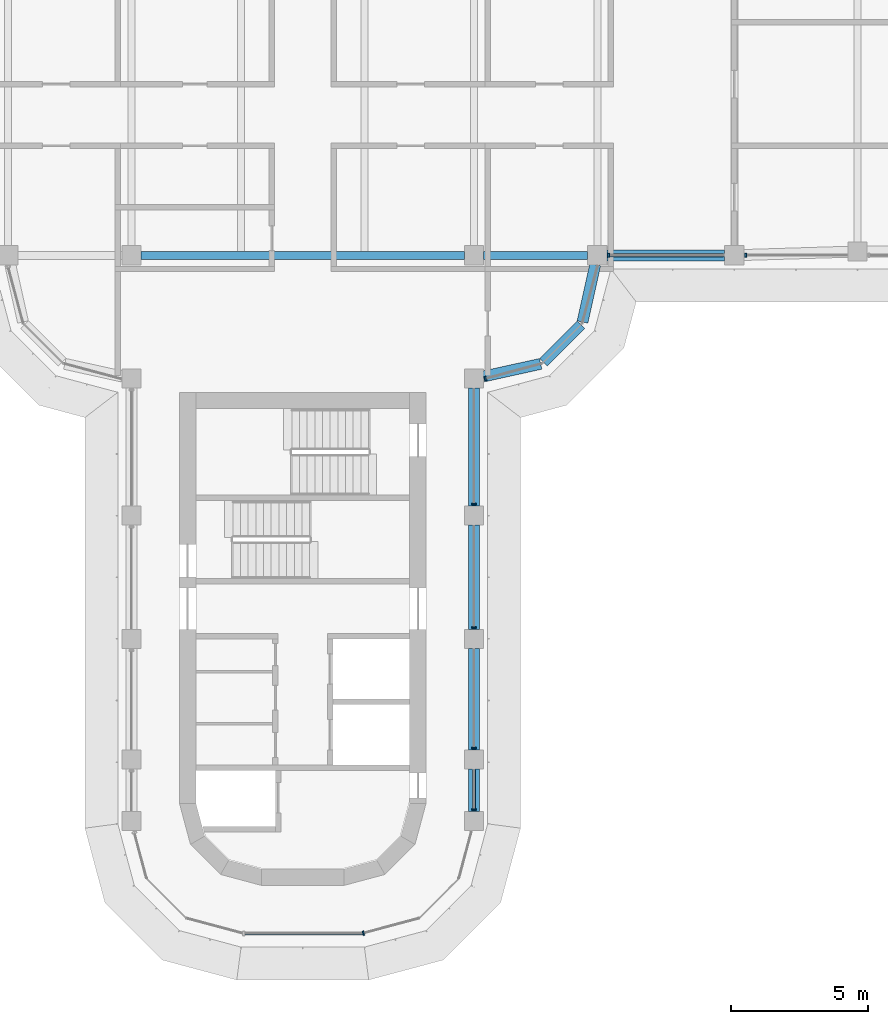
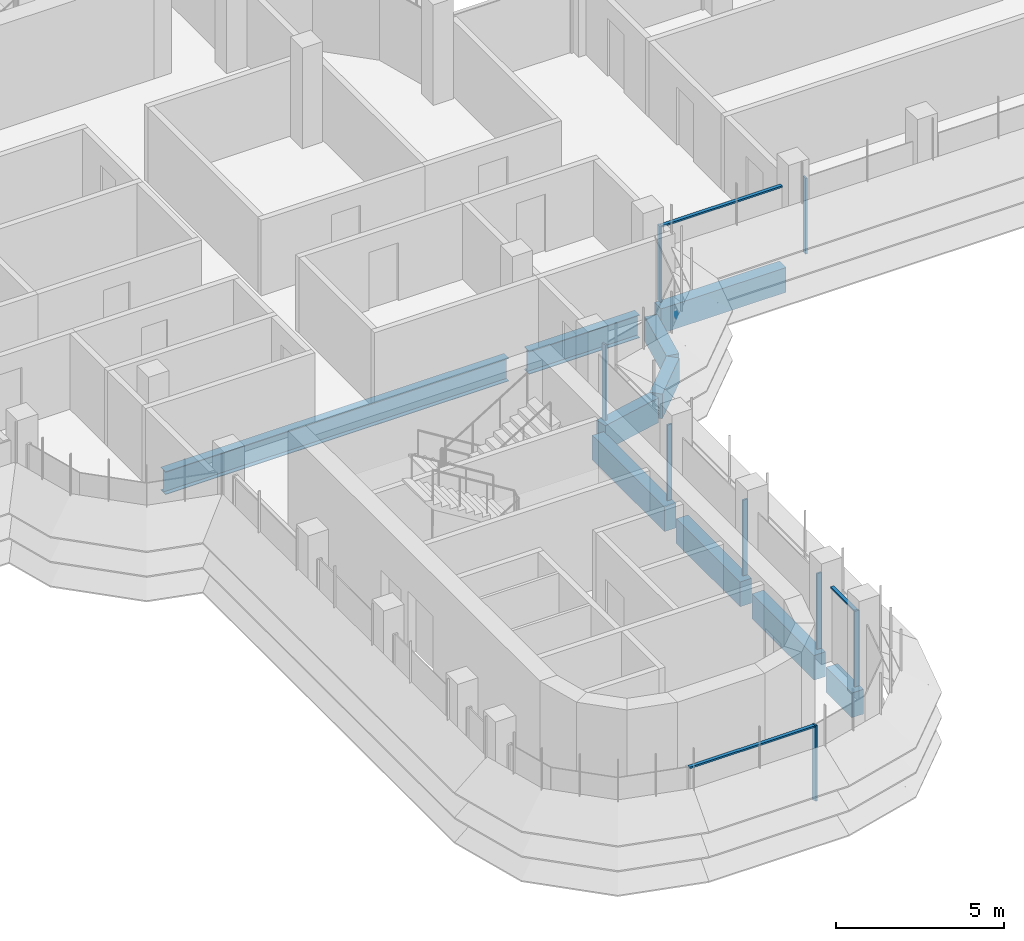
# One storey, part 4 of 19: 11 members, 10 beams, 5 elements without a shape of their own.
"""IFC4 building model written with IfcOpenShell, lengths in metres."""

from ifc_helpers import new_model, si_unit, direction, frame, origin, origin_2d, place, context, subcontext, project, spatial, polyline, rectangle, i_section, outline, extrude, source, transform, mapped, material, material_profile, profile_set, type_object, element, aggregate, save


model = new_model("IFC4")

# Units and contexts
model_context = context("Model", 3, precision=1e-05, world=origin(), true_north=direction((0.0, 1.0)))
body_context = subcontext(model_context, "Body", "Model", "MODEL_VIEW")
ifc_project = project(units=[si_unit("LENGTHUNIT", "METRE"), si_unit("AREAUNIT", "SQUARE_METRE"), si_unit("VOLUMEUNIT", "CUBIC_METRE"), si_unit("PLANEANGLEUNIT", "RADIAN"), si_unit("MASSUNIT", "GRAM", prefix="KILO")], contexts=[model_context])

# Site, building, storey
site_placement = place(None, origin())
site = spatial("IfcSite", under=ifc_project, at=site_placement, CompositionType="ELEMENT")
building_placement = place(site_placement, origin())
building = spatial("IfcBuilding", under=site, at=building_placement, Name="Zarbagh Exchange Tower", CompositionType="ELEMENT")
storey_placement = place(building_placement, frame((0.0, 0.0, 203.0)))
storey = spatial("IfcBuildingStorey", under=building, at=storey_placement, Name="L49", CompositionType="ELEMENT", Elevation=203.0)

# Beams
ifc_material_1 = material(Name="Steel ASTM A992 Gr 50", Category="steel")
ifc_material_profile_1 = material_profile(ifc_material_1, i_section(OverallWidth=0.2919921875, OverallDepth=0.835693359375, WebThickness=0.013916015625, FlangeThickness=0.018798828125, at=origin_2d()), Name="W33X118")
ifc_profile_set_1 = profile_set([ifc_material_profile_1], Name="Steel ASTM A992 Gr 50")
beam_type_1 = type_object("IfcBeamType", Name="Floor girder W33X118", PredefinedType="BEAM", material=ifc_profile_set_1)
beam_1_placement = place(storey_placement, frame((-5.89990234375, -6.25, -0.56787109375), z_axis=(1.0, 0.0, 0.0), x_axis=(0.0, 1.0, 0.0)))
element("IfcBeam", 1, at=beam_1_placement, inside=storey, type_object=beam_type_1, Name="Steel girder", PredefinedType="BEAM", context=body_context, shape_type="SweptSolid", body=[
    extrude(i_section(OverallWidth=0.2919921875, OverallDepth=0.835693359375, WebThickness=0.013916015625, FlangeThickness=0.018798828125, at=origin_2d()), origin(), (0.0, 0.0, 1.0), 11.7998046875),
])
beam_2_placement = place(storey_placement, frame((6.60009765625, -6.25, -0.56787109375), z_axis=(1.0, 0.0, 0.0), x_axis=(0.0, 1.0, 0.0)))
element("IfcBeam", 2, at=beam_2_placement, inside=storey, type_object=beam_type_1, Name="Steel girder", PredefinedType="BEAM", context=body_context, shape_type="SweptSolid", body=[
    extrude(i_section(OverallWidth=0.2919921875, OverallDepth=0.835693359375, WebThickness=0.013916015625, FlangeThickness=0.018798828125, at=origin_2d()), origin(), (0.0, 0.0, 1.0), 3.7998046875),
])
ifc_material_2 = material(Name="Concrete C50/60", Category="concrete")
ifc_material_profile_2 = material_profile(ifc_material_2, rectangle(XDim=0.39990234375, YDim=0.89990234375, at=origin_2d()), Name="RC spandrel beam 400 x 900 C50/60")
ifc_profile_set_2 = profile_set([ifc_material_profile_2], Name="Concrete C50/60")
beam_type_2 = type_object("IfcBeamType", Name="RC spandrel beam 400 x 900 C50/60", PredefinedType="SPANDREL", material=ifc_profile_set_2)
beam_3_placement = place(storey_placement, frame((15.39990234375, -6.25, -0.60009765625), z_axis=(-1.0, 0.0, 0.0), x_axis=(0.0, -1.0, 0.0)))
element("IfcBeam", 3, at=beam_3_placement, inside=storey, type_object=beam_type_2, Name="RC spandrel beam", PredefinedType="SPANDREL", context=body_context, shape_type="SweptSolid", body=[
    extrude(rectangle(XDim=0.39990234375, YDim=0.89990234375, at=origin_2d()), origin(), (0.0, 0.0, 1.0), 4.2998046875),
])
beam_4_placement = place(storey_placement, frame((10.67431640625, -6.591796875, -0.60009765625), z_axis=(-0.216013551096, -0.97639036545, 0.0), x_axis=(0.97639036545, -0.216013551096, 0.0)))
element("IfcBeam", 4, at=beam_4_placement, inside=storey, type_object=beam_type_2, Name="RC spandrel beam", PredefinedType="SPANDREL", context=body_context, shape_type="SweptSolid", body=[
    extrude(rectangle(XDim=0.39990234375, YDim=0.89990234375, at=origin_2d()), origin(), (0.0, 0.0, 1.0), 2.142822265625),
])
beam_5_placement = place(storey_placement, frame((10.15771484375, -8.782470703125, -0.60009765625), z_axis=(-0.707106781187, -0.707106781187, 0.0), x_axis=(0.707106781187, -0.707106781187, 0.0)))
element("IfcBeam", 5, at=beam_5_placement, inside=storey, type_object=beam_type_2, Name="RC spandrel beam", PredefinedType="SPANDREL", context=body_context, shape_type="SweptSolid", body=[
    extrude(rectangle(XDim=0.39990234375, YDim=0.89990234375, at=origin_2d()), origin(), (0.0, 0.0, 1.0), 1.94482421875),
])
beam_6_placement = place(storey_placement, frame((8.68408203125, -10.21142578125, -0.60009765625), z_axis=(-0.97639036545, -0.216013551096, 0.0), x_axis=(0.216013551096, -0.97639036545, 0.0)))
element("IfcBeam", 6, at=beam_6_placement, inside=storey, type_object=beam_type_2, Name="RC spandrel beam", PredefinedType="SPANDREL", context=body_context, shape_type="SweptSolid", body=[
    extrude(rectangle(XDim=0.39990234375, YDim=0.89990234375, at=origin_2d()), origin(), (0.0, 0.0, 1.0), 2.142822265625),
])
beam_7_placement = place(storey_placement, frame((6.25, -11.10009765625, -0.60009765625), z_axis=(0.0, -1.0, 0.0), x_axis=(1.0, 0.0, 0.0)))
element("IfcBeam", 7, at=beam_7_placement, inside=storey, type_object=beam_type_2, Name="RC spandrel beam", PredefinedType="SPANDREL", context=body_context, shape_type="SweptSolid", body=[
    extrude(rectangle(XDim=0.39990234375, YDim=0.89990234375, at=origin_2d()), origin(), (0.0, 0.0, 1.0), 4.2998046875),
])
beam_8_placement = place(storey_placement, frame((6.25, -16.10009765625, -0.60009765625), z_axis=(0.0, -1.0, 0.0), x_axis=(1.0, 0.0, 0.0)))
element("IfcBeam", 8, at=beam_8_placement, inside=storey, type_object=beam_type_2, Name="RC spandrel beam", PredefinedType="SPANDREL", context=body_context, shape_type="SweptSolid", body=[
    extrude(rectangle(XDim=0.39990234375, YDim=0.89990234375, at=origin_2d()), origin(), (0.0, 0.0, 1.0), 3.7998046875),
])
beam_9_placement = place(storey_placement, frame((6.25, -20.60009765625, -0.60009765625), z_axis=(0.0, -1.0, 0.0), x_axis=(1.0, 0.0, 0.0)))
element("IfcBeam", 9, at=beam_9_placement, inside=storey, type_object=beam_type_2, Name="RC spandrel beam", PredefinedType="SPANDREL", context=body_context, shape_type="SweptSolid", body=[
    extrude(rectangle(XDim=0.39990234375, YDim=0.89990234375, at=origin_2d()), origin(), (0.0, 0.0, 1.0), 3.699951171875),
])
beam_10_placement = place(storey_placement, frame((6.25, -25.0, -0.60009765625), z_axis=(0.0, -1.0, 0.0), x_axis=(1.0, 0.0, 0.0)))
element("IfcBeam", 10, at=beam_10_placement, inside=storey, type_object=beam_type_2, Name="RC spandrel beam", PredefinedType="SPANDREL", context=body_context, shape_type="SweptSolid", body=[
    extrude(rectangle(XDim=0.39990234375, YDim=0.89990234375, at=origin_2d()), origin(), (0.0, 0.0, 1.0), 1.550048828125),
])

# Curtain wall, member
ifc_material_3 = material(Name="Anodised aluminium frame and glazing", Category="aluminium")
curtain_wall_type = type_object("IfcCurtainWallType", Name="CWB Ribbon glazing, upper zones", PredefinedType="NOTDEFINED", material=ifc_material_3)
curtain_wall_1_placement = place(storey_placement, origin())
curtain_wall_1 = element("IfcCurtainWall", 11, at=curtain_wall_1_placement, inside=storey, type_object=curtain_wall_type, Name="CWB49 curtain wall", PredefinedType="NOTDEFINED")
ifc_material_4 = material(Name="Anodised aluminium frame", Category="aluminium")
member_type_1 = type_object("IfcMemberType", Name="MUB Mullion, anodised aluminium frame", PredefinedType="MULLION", material=ifc_material_4)
shared_shape_1 = source(origin(), body_context, "Body", "SweptSolid", [
    extrude(outline(polyline([(0.0, -0.080078125), (0.06005859375, -0.080078125), (0.06005859375, 0.080078125), (0.0, 0.080078125), (0.0, -0.080078125)])), origin(), (0.0, 0.0, 1.0), 2.75),
])
placement = place(storey_placement, origin())
member_1 = element("IfcMember", 12, at=placement, type_object=member_type_1, Name="CWB49 mullion 1.1", PredefinedType="MULLION", context=body_context, shape_type="MappedRepresentation", body=[
    mapped(shared_shape_1, transform((2.18408203125, -31.0, 0.0), x_axis=(0.965924289636, 0.258824779902, 0.0), y_axis=(-0.258824779902, 0.965924289636, 0.0), z_axis=(0.0, 0.0, 1.0))),
])
aggregate(curtain_wall_1, [member_1])

# Curtain wall, members
curtain_wall_2_placement = place(storey_placement, origin())
curtain_wall_2 = element("IfcCurtainWall", 13, at=curtain_wall_2_placement, inside=storey, type_object=curtain_wall_type, Name="CWB52 curtain wall", PredefinedType="NOTDEFINED")
member_2 = element("IfcMember", 14, at=placement, type_object=member_type_1, Name="CWB52 mullion 1.1", PredefinedType="MULLION", context=body_context, shape_type="MappedRepresentation", body=[
    mapped(shared_shape_1, transform((6.25, -26.510009765625, 0.0), x_axis=(0.0, 1.0, 0.0), y_axis=(-1.0, 0.0, 0.0), z_axis=(0.0, 0.0, 1.0))),
])
member_3 = element("IfcMember", 15, at=placement, type_object=member_type_1, Name="CWB52 mullion 2.1", PredefinedType="MULLION", context=body_context, shape_type="MappedRepresentation", body=[
    mapped(shared_shape_1, transform((6.25, -24.260009765625, 0.0), x_axis=(0.0, 1.0, 0.0), y_axis=(-1.0, 0.0, 0.0), z_axis=(0.0, 0.0, 1.0))),
])
member_4 = element("IfcMember", 16, at=placement, type_object=member_type_1, Name="CWB52 mullion 3.1", PredefinedType="MULLION", context=body_context, shape_type="MappedRepresentation", body=[
    mapped(shared_shape_1, transform((6.25, -19.85986328125, 0.0), x_axis=(0.0, 1.0, 0.0), y_axis=(-1.0, 0.0, 0.0), z_axis=(0.0, 0.0, 1.0))),
])
member_5 = element("IfcMember", 17, at=placement, type_object=member_type_1, Name="CWB52 mullion 4.1", PredefinedType="MULLION", context=body_context, shape_type="MappedRepresentation", body=[
    mapped(shared_shape_1, transform((6.25, -15.35986328125, 0.0), x_axis=(0.0, 1.0, 0.0), y_axis=(-1.0, 0.0, 0.0), z_axis=(0.0, 0.0, 1.0))),
])

# Curtain wall, member
curtain_wall_3_placement = place(storey_placement, origin())
curtain_wall_3 = element("IfcCurtainWall", 18, at=curtain_wall_3_placement, inside=storey, type_object=curtain_wall_type, Name="CWB05 curtain wall", PredefinedType="NOTDEFINED")
member_6 = element("IfcMember", 19, at=placement, type_object=member_type_1, Name="CWB05 mullion 1.1", PredefinedType="MULLION", context=body_context, shape_type="MappedRepresentation", body=[
    mapped(shared_shape_1, transform((6.64013671875, -10.76171875, 0.0), x_axis=(0.965924289636, 0.258824779902, 0.0), y_axis=(-0.258824779902, 0.965924289636, 0.0), z_axis=(0.0, 0.0, 1.0))),
])
aggregate(curtain_wall_3, [member_6])

# Curtain wall, members
curtain_wall_4_placement = place(storey_placement, origin())
curtain_wall_4 = element("IfcCurtainWall", 20, at=curtain_wall_4_placement, inside=storey, type_object=curtain_wall_type, Name="CWB08 curtain wall", PredefinedType="NOTDEFINED")
member_7 = element("IfcMember", 21, at=placement, type_object=member_type_1, Name="CWB08 mullion 1.1", PredefinedType="MULLION", context=body_context, shape_type="MappedRepresentation", body=[
    mapped(shared_shape_1, transform((11.14013671875, -6.25, 0.0), x_axis=(1.0, 0.0, 0.0), y_axis=(0.0, 1.0, 0.0), z_axis=(0.0, 0.0, 1.0))),
])
member_8 = element("IfcMember", 22, at=placement, type_object=member_type_1, Name="CWB08 mullion 2.1", PredefinedType="MULLION", context=body_context, shape_type="MappedRepresentation", body=[
    mapped(shared_shape_1, transform((16.14013671875, -6.25, 0.0), x_axis=(1.0, 0.0, 0.0), y_axis=(0.0, 1.0, 0.0), z_axis=(0.0, 0.0, 1.0))),
])

# Curtain wall, member
curtain_wall_5_placement = place(storey_placement, origin())
curtain_wall_5 = element("IfcCurtainWall", 23, at=curtain_wall_5_placement, inside=storey, type_object=curtain_wall_type, Name="CWB57 curtain wall", PredefinedType="NOTDEFINED")
member_type_2 = type_object("IfcMemberType", Name="TRB Transom, anodised aluminium frame", PredefinedType="USERDEFINED", material=ifc_material_4)
shared_shape_2 = source(origin(), body_context, "Body", "SweptSolid", [
    extrude(outline(polyline([(-0.06005859375, -0.06005859375), (0.0, -0.06005859375), (0.0, 0.06005859375), (-0.06005859375, 0.06005859375), (-0.06005859375, -0.06005859375)])), origin(), (0.0, 0.0, 1.0), 4.308349609375),
])
member_9 = element("IfcMember", 24, at=placement, type_object=member_type_2, Name="CWB57 transom 1.1", ObjectType="TRANSOM", PredefinedType="USERDEFINED", context=body_context, shape_type="MappedRepresentation", body=[
    mapped(shared_shape_2, transform((-2.124267578125, -31.0, 2.75), x_axis=(0.0, 0.0, 1.0), y_axis=(0.0, -1.0, 0.0), z_axis=(1.0, 0.0, 0.0))),
])
aggregate(curtain_wall_5, [member_9])

# Member
shared_shape_3 = source(origin(), body_context, "Body", "SweptSolid", [
    extrude(outline(polyline([(-0.06005859375, -0.06005859375), (0.0, -0.06005859375), (0.0, 0.06005859375), (-0.06005859375, 0.06005859375), (-0.06005859375, -0.06005859375)])), origin(), (0.0, 0.0, 1.0), 1.409912109375),
])
member_10 = element("IfcMember", 25, at=placement, type_object=member_type_2, Name="CWB52 transom 1.1", ObjectType="TRANSOM", PredefinedType="USERDEFINED", context=body_context, shape_type="MappedRepresentation", body=[
    mapped(shared_shape_3, transform((6.25, -26.449951171875, 2.75), x_axis=(0.0, 0.0, 1.0), y_axis=(1.0, 0.0, 0.0), z_axis=(0.0, 1.0, 0.0))),
])

aggregate(curtain_wall_2, [member_2, member_10, member_3, member_4, member_5])

shared_shape_4 = source(origin(), body_context, "Body", "SweptSolid", [
    extrude(outline(polyline([(-0.06005859375, -0.06005859375), (0.0, -0.06005859375), (0.0, 0.06005859375), (-0.06005859375, 0.06005859375), (-0.06005859375, -0.06005859375)])), origin(), (0.0, 0.0, 1.0), 4.159912109375),
])
member_11 = element("IfcMember", 26, at=placement, type_object=member_type_2, Name="CWB08 transom 1.1", ObjectType="TRANSOM", PredefinedType="USERDEFINED", context=body_context, shape_type="MappedRepresentation", body=[
    mapped(shared_shape_4, transform((11.199951171875, -6.25, 2.75), x_axis=(0.0, 0.0, 1.0), y_axis=(0.0, -1.0, 0.0), z_axis=(1.0, 0.0, 0.0))),
])

aggregate(curtain_wall_4, [member_7, member_11, member_8])

save(model, "model.ifc")
